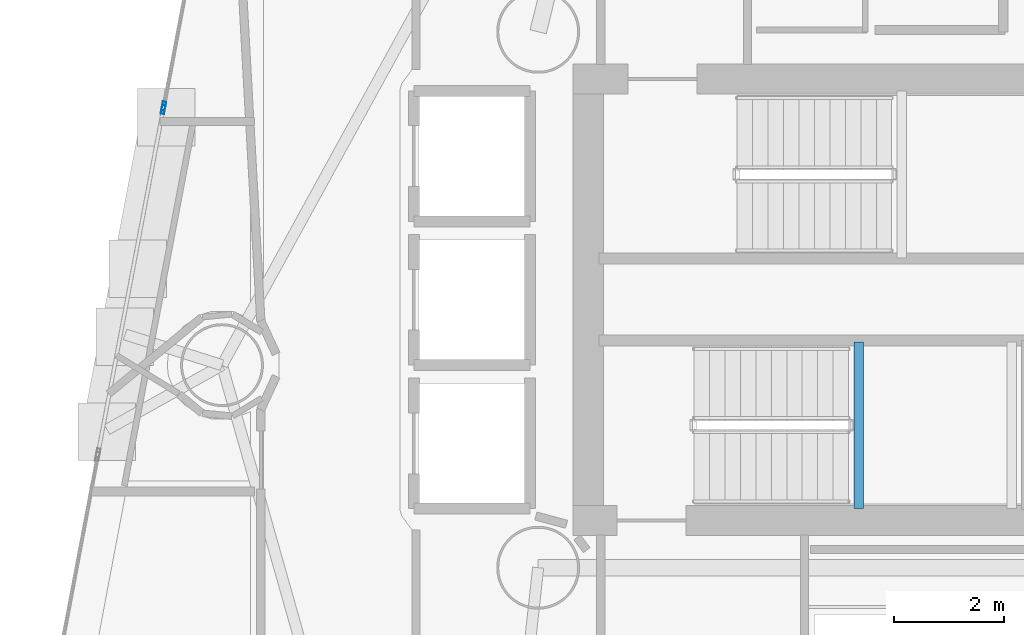
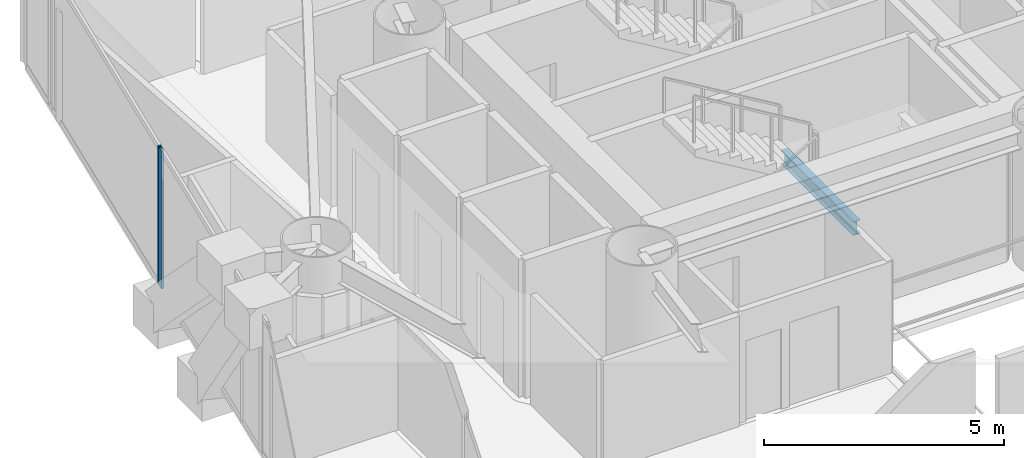
# One storey, part 9 of 24: 2 members, 1 beam, 2 elements without a shape of their own.
"""IFC4 building model written with IfcOpenShell, lengths in metres."""

from ifc_helpers import new_model, si_unit, direction, frame, origin, origin_2d, place, context, subcontext, project, spatial, hollow_rectangle, i_section, extrude, material, layer, layer_set, material_profile, profile_set, type_object, element, aggregate, save


model = new_model("IFC4")

# Units and contexts
model_context = context("Model", 3, precision=1e-05, world=origin(), true_north=direction((0.0, 1.0)))
body_context = subcontext(model_context, "Body", "Model", "MODEL_VIEW")
ifc_project = project(units=[si_unit("LENGTHUNIT", "METRE"), si_unit("AREAUNIT", "SQUARE_METRE"), si_unit("VOLUMEUNIT", "CUBIC_METRE"), si_unit("PLANEANGLEUNIT", "RADIAN"), si_unit("MASSUNIT", "GRAM", prefix="KILO")], contexts=[model_context])

# Site, building, storey
site_placement = place(None, origin())
site = spatial("IfcSite", under=ifc_project, at=site_placement, CompositionType="ELEMENT")
building_placement = place(site_placement, origin())
building = spatial("IfcBuilding", under=site, at=building_placement, Name="Qianvela Tower", CompositionType="ELEMENT")
storey_placement = place(building_placement, frame((0.0, 0.0, 101.5)))
storey = spatial("IfcBuildingStorey", under=building, at=storey_placement, Name="L25", CompositionType="ELEMENT", Elevation=101.5)

# Beam
ifc_material_1 = material(Name="Steel Q355B", Category="steel")
ifc_material_profile_1 = material_profile(ifc_material_1, i_section(OverallWidth=0.175048828125, OverallDepth=0.35009765625, WebThickness=0.007080078125, FlangeThickness=0.010986328125, at=origin_2d()), Name="HN350x175x7x11")
ifc_profile_set_1 = profile_set([ifc_material_profile_1], Name="Steel Q355B")
beam_type = type_object("IfcBeamType", Name="BM-HN350-JOIST", PredefinedType="JOIST", material=ifc_profile_set_1)
beam_placement = place(storey_placement, frame((34.39990234375, 24.919921875, 1.47509765625), z_axis=(0.0, 1.0, 0.0), x_axis=(-1.0, 0.0, 0.0)))
element("IfcBeam", 1, at=beam_placement, inside=storey, type_object=beam_type, Name="L25 Stair ST-2 Landing Support Beam 1.1", PredefinedType="JOIST", context=body_context, shape_type="SweptSolid", body=[
    extrude(i_section(OverallWidth=0.175048828125, OverallDepth=0.35009765625, WebThickness=0.007080078125, FlangeThickness=0.010986328125, at=origin_2d()), origin(), (0.0, 0.0, 1.0), 3.02001953125),
])

# Curtain wall, member
ifc_material_2 = material(Name="Anodised Architectural Aluminium and Insulated Spandrel Panel", Category="aluminium")
ifc_layer_1 = layer(ifc_material_2, 0.179931640625)
ifc_layer_set_1 = layer_set([ifc_layer_1], Name="Anodised Architectural Aluminium and Insulated Spandrel Panel")
curtain_wall_type_1 = type_object("IfcCurtainWallType", Name="CW-BRACEBAY", PredefinedType="USERDEFINED", material=ifc_layer_set_1)
curtain_wall_1_placement = place(storey_placement, origin())
curtain_wall_1 = element("IfcCurtainWall", 2, at=curtain_wall_1_placement, inside=storey, type_object=curtain_wall_type_1, Name="L25 CW-BRACEBAY Curtain Wall 04B", ObjectType="CURTAIN_WALL_SYSTEM", PredefinedType="USERDEFINED")
ifc_material_3 = material(Name="Anodised Architectural Aluminium 6063-T6", Category="aluminium")
ifc_material_profile_2 = material_profile(ifc_material_3, hollow_rectangle(XDim=0.06494140625, YDim=0.159912109375, WallThickness=0.0048828125, at=origin_2d()), Name="ALU-MULL-65x160")
ifc_profile_set_2 = profile_set([ifc_material_profile_2], Name="Anodised Architectural Aluminium 6063-T6")
member_type_1 = type_object("IfcMemberType", Name="CW-BRACEBAY-MULL", PredefinedType="MULLION", material=ifc_profile_set_2)
member_1_placement = place(storey_placement, frame((21.8125, 32.14111328125, 0.0), z_axis=(0.0, 0.0, 1.0), x_axis=(0.982547525402, -0.186011720937, 0.0)))
member_1 = element("IfcMember", 3, at=member_1_placement, type_object=member_type_1, Name="CW-9 mullion 1", PredefinedType="MULLION", context=body_context, shape_type="SweptSolid", body=[
    extrude(hollow_rectangle(XDim=0.06494140625, YDim=0.159912109375, WallThickness=0.0048828125, at=origin_2d()), origin(), (0.0, 0.0, 1.0), 3.52001953125),
])
aggregate(curtain_wall_1, [member_1])

ifc_material_4 = material(Name="Anodised Architectural Aluminium and Low-E Glass", Category="aluminium")
ifc_layer_2 = layer(ifc_material_4, 0.169921875)
ifc_layer_set_2 = layer_set([ifc_layer_2], Name="Anodised Architectural Aluminium and Low-E Glass")
curtain_wall_type_2 = type_object("IfcCurtainWallType", Name="CW-COLIV-Z34", PredefinedType="USERDEFINED", material=ifc_layer_set_2)
curtain_wall_2_placement = place(storey_placement, origin())
curtain_wall_2 = element("IfcCurtainWall", 4, at=curtain_wall_2_placement, inside=storey, type_object=curtain_wall_type_2, Name="L25 CW-COLIV-Z34 Curtain Wall 04A", ObjectType="CURTAIN_WALL_SYSTEM", PredefinedType="USERDEFINED")
ifc_material_5 = material(Name="Anodised Architectural Aluminium 6063-T6", Category="aluminium")
ifc_material_profile_3 = material_profile(ifc_material_5, hollow_rectangle(XDim=0.06494140625, YDim=0.159912109375, WallThickness=0.0048828125, at=origin_2d()), Name="ALU-MULL-65x160")
ifc_profile_set_3 = profile_set([ifc_material_profile_3], Name="Anodised Architectural Aluminium 6063-T6")
member_type_2 = type_object("IfcMemberType", Name="CW-COLIV-Z34-MULL", PredefinedType="MULLION", material=ifc_profile_set_3)
member_2_placement = place(storey_placement, frame((21.82470703125, 32.205078125, 0.0), z_axis=(0.0, 0.0, 1.0), x_axis=(0.982547378796, -0.186012495338, 0.0)))
member_2 = element("IfcMember", 5, at=member_2_placement, type_object=member_type_2, Name="CW-4 mullion 2", PredefinedType="MULLION", context=body_context, shape_type="SweptSolid", body=[
    extrude(hollow_rectangle(XDim=0.06494140625, YDim=0.159912109375, WallThickness=0.0048828125, at=origin_2d()), origin(), (0.0, 0.0, 1.0), 3.52001953125),
])
aggregate(curtain_wall_2, [member_2])

save(model, "model.ifc")
